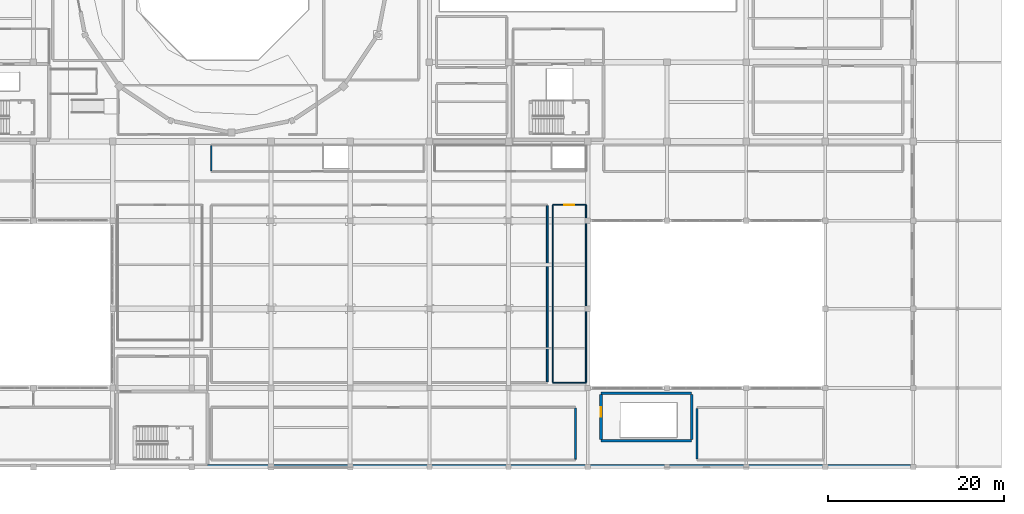
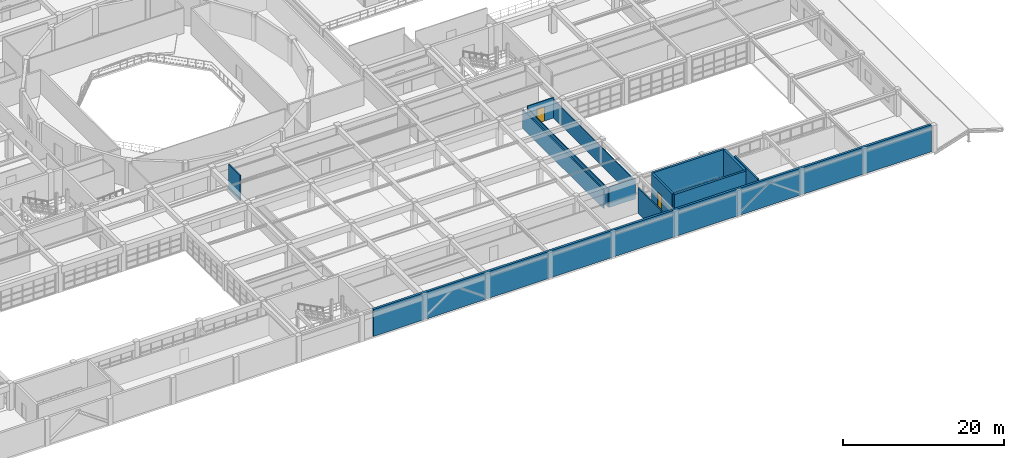
# One storey, part 110 of 130: 13 walls, 2 doors, 2 openings.
"""IFC4 building model written with IfcOpenShell, lengths in metres."""

from ifc_helpers import new_model, si_unit, direction, frame, frame_2d, origin, place, context, subcontext, project, spatial, rectangle, extrude, material, layer, layer_set, type_object, element, fill, save


model = new_model("IFC4")

# Units and contexts
model_context = context("Model", 3, precision=1e-05, world=origin(), true_north=direction((0.0, 1.0)))
body_context = subcontext(model_context, "Body", "Model", "MODEL_VIEW")
ifc_project = project(units=[si_unit("LENGTHUNIT", "METRE"), si_unit("AREAUNIT", "SQUARE_METRE"), si_unit("VOLUMEUNIT", "CUBIC_METRE"), si_unit("PLANEANGLEUNIT", "RADIAN"), si_unit("MASSUNIT", "GRAM", prefix="KILO")], contexts=[model_context])

# Site, building, storey
site_placement = place(None, origin())
site = spatial("IfcSite", under=ifc_project, at=site_placement, CompositionType="ELEMENT")
building_placement = place(site_placement, origin())
building = spatial("IfcBuilding", under=site, at=building_placement, Name="Miravela Opera House", CompositionType="ELEMENT")
storey_placement = place(building_placement, frame((0.0, 0.0, 9.52001953125)))
storey = spatial("IfcBuildingStorey", under=building, at=storey_placement, Name="L02", CompositionType="ELEMENT", Elevation=9.52001953125)

# Wall
ifc_material_1 = material(Name="Fire-rated acoustic gypsum partition")
ifc_layer_1 = layer(ifc_material_1, 0.1298828125)
ifc_layer_set_1 = layer_set([ifc_layer_1])
wall_type_1 = type_object("IfcWallType", Name="ARC-PT-130", PredefinedType="PARTITIONING", material=ifc_layer_set_1)
wall_1_placement = place(storey_placement, frame((113.0, 9.60009765625, 0.0), z_axis=(0.0, 0.0, 1.0), x_axis=(1.0, 0.0, 0.0)))
element("IfcWall", 1, at=wall_1_placement, inside=storey, type_object=wall_type_1, Name="Stage Armoury and Dyeing Workshop Partition South", PredefinedType="PARTITIONING", context=body_context, shape_type="SweptSolid", body=[
    extrude(rectangle(XDim=3.800048828125, YDim=0.1298828125, at=frame_2d((1.89990234375, 0.0))), origin(), (0.0, 0.0, 1.0), 3.139892578125),
])

# Wall, opening, door
wall_2_placement = place(storey_placement, frame((113.0, 29.800048828125, 0.0), z_axis=(0.0, 0.0, 1.0), x_axis=(1.0, 0.0, 0.0)))
wall_2 = element("IfcWall", 2, at=wall_2_placement, inside=storey, type_object=wall_type_1, Name="Stage Armoury and Dyeing Workshop Partition North", PredefinedType="PARTITIONING", context=body_context, shape_type="SweptSolid", body=[
    extrude(rectangle(XDim=3.800048828125, YDim=0.1298828125, at=frame_2d((1.89990234375, 0.0))), origin(), (0.0, 0.0, 1.0), 3.090087890625),
])
opening_1_placement = place(wall_2_placement, frame((1.35009765625, 0.0, 0.0)))
opening_1 = element("IfcOpeningElement", 3, at=opening_1_placement, cuts=wall_2, Name="Opening ID-03", PredefinedType="OPENING", context=body_context, shape_type="SweptSolid", body=[
    extrude(rectangle(XDim=1.10009765625, YDim=2.199951171875, at=frame_2d((0.550048828125, 1.10009765625))), frame((0.0, 0.074951171875, 0.0), z_axis=(0.0, -1.0, 0.0), x_axis=(1.0, 0.0, 0.0)), (0.0, 0.0, 1.0), 0.14990234375),
])
ifc_material_2 = material(Name="Acoustic hardwood studio door", Category="wood")
door_type_1 = type_object("IfcDoorType", Name="ARC-DR-1100X2200", OperationType="NOTDEFINED", PredefinedType="DOOR", material=ifc_material_2)
door_1_placement = place(opening_1_placement, origin())
door_1 = element("IfcDoor", 4, at=door_1_placement, inside=storey, type_object=door_type_1, Name="Stage Armoury and Dyeing Workshop Entry Door IDR-L02-0247", OperationType="SINGLE_SWING_LEFT", OverallHeight=2.199951171875, OverallWidth=1.10009765625, PredefinedType="DOOR", context=body_context, shape_type="SweptSolid", body=[
    extrude(rectangle(XDim=1.10009765625, YDim=2.199951171875, at=frame_2d((0.550048828125, 1.10009765625))), frame((0.0, 0.02490234375, 0.0), z_axis=(0.0, -1.0, 0.0), x_axis=(1.0, 0.0, 0.0)), (0.0, 0.0, 1.0), 0.050048828125),
])
fill(opening_1, door_1)

# Walls
for number, where, z_axis, x_axis, name in (
    (5, (113.0, 9.6650390625, 0.0), (0.0, 0.0, 1.0), (0.0, 1.0, 0.0), "Stage Armoury and Dyeing Workshop Partition West"),
    (6, (116.800048828125, 9.6650390625, 0.0), (0.0, 0.0, 1.0), (0.0, 1.0, 0.0), "Stage Armoury and Dyeing Workshop Partition East"),
):
    element("IfcWall", number, at=place(storey_placement, frame(where, z_axis=z_axis, x_axis=x_axis)), inside=storey, type_object=wall_type_1, Name=name, PredefinedType="PARTITIONING", context=body_context, shape_type="SweptSolid", body=[
        extrude(rectangle(XDim=20.070068359375, YDim=0.1298828125, at=frame_2d((10.03515625, 0.0))), origin(), (0.0, 0.0, 1.0), 2.7900390625),
    ])
ifc_material_3 = material(Name="Studio double-stud acoustic partition")
ifc_layer_2 = layer(ifc_material_3, 0.14990234375)
ifc_layer_set_2 = layer_set([ifc_layer_2])
wall_type_2 = type_object("IfcWallType", Name="ARC-PT-145", PredefinedType="PARTITIONING", material=ifc_layer_set_2)
wall_3_placement = place(storey_placement, frame((74.199951171875, 33.675048828125, 0.0), z_axis=(0.0, 0.0, 1.0), x_axis=(0.0, 1.0, 0.0)))
element("IfcWall", 7, at=wall_3_placement, inside=storey, type_object=wall_type_2, Name="Stage Scenery Restoration Archive Partition West", PredefinedType="PARTITIONING", context=body_context, shape_type="SweptSolid", body=[
    extrude(rectangle(XDim=2.849853515625, YDim=0.14990234375, at=frame_2d((1.4248046875, 0.0))), origin(), (0.0, 0.0, 1.0), 3.840087890625),
])
ifc_material_4 = material(Name="Corridor fire-resisting masonry partition", Category="masonry")
ifc_layer_3 = layer(ifc_material_4, 0.18994140625)
ifc_layer_set_3 = layer_set([ifc_layer_3])
wall_type_3 = type_object("IfcWallType", Name="ARC-PT-190", PredefinedType="PARTITIONING", material=ifc_layer_set_3)
wall_4_placement = place(storey_placement, frame((112.39990234375, 9.695068359375, 0.0), z_axis=(0.0, 0.0, 1.0), x_axis=(0.0, 1.0, 0.0)))
element("IfcWall", 8, at=wall_4_placement, inside=storey, type_object=wall_type_3, Name="Costume Tailoring and Dyeing Workshop Partition East", PredefinedType="PARTITIONING", context=body_context, shape_type="SweptSolid", body=[
    extrude(rectangle(XDim=20.010009765625, YDim=0.18994140625, at=frame_2d((10.0048828125, 0.0))), origin(), (0.0, 0.0, 1.0), 2.7900390625),
])
wall_5_placement = place(storey_placement, frame((115.60009765625, 0.89501953125, 0.0), z_axis=(0.0, 0.0, 1.0), x_axis=(0.0, 1.0, 0.0)))
element("IfcWall", 9, at=wall_5_placement, inside=storey, type_object=wall_type_3, Name="Stage Lighting Design and Cueing Studio Partition East", PredefinedType="PARTITIONING", context=body_context, shape_type="SweptSolid", body=[
    extrude(rectangle(XDim=5.81005859375, YDim=0.18994140625, at=frame_2d((2.905029296875, 0.0))), origin(), (0.0, 0.0, 1.0), 3.840087890625),
])
ifc_material_5 = material(Name="High-STC auditorium lobby partition")
ifc_layer_4 = layer(ifc_material_5, 0.22998046875)
ifc_layer_set_4 = layer_set([ifc_layer_4])
wall_type_4 = type_object("IfcWallType", Name="ARC-PT-205", PredefinedType="PARTITIONING", material=ifc_layer_set_4)
wall_6_placement = place(storey_placement, frame((129.39990234375, 0.9150390625, 0.0), z_axis=(0.0, 0.0, 1.0), x_axis=(0.0, 1.0, 0.0)))
element("IfcWall", 10, at=wall_6_placement, inside=storey, type_object=wall_type_4, Name="Male Chorus Dressing Suite Partition West", PredefinedType="PARTITIONING", context=body_context, shape_type="SweptSolid", body=[
    extrude(rectangle(XDim=5.77001953125, YDim=0.22998046875, at=frame_2d((2.885009765625, 0.0))), origin(), (0.0, 0.0, 1.0), 3.840087890625),
])
ifc_material_6 = material(Name="Concrete C35/45", Category="concrete")
ifc_layer_5 = layer(ifc_material_6, 0.320068359375)
ifc_layer_set_5 = layer_set([ifc_layer_5])
wall_type_5 = type_object("IfcWallType", Name="STR-WALL-PARTY-320", PredefinedType="SHEAR", material=ifc_layer_set_5)
wall_7_placement = place(storey_placement, frame((73.77490234375, 0.159912109375, 0.0), z_axis=(0.0, 0.0, 1.0), x_axis=(1.0, 0.0, 0.0)))
element("IfcWall", 11, at=wall_7_placement, inside=storey, type_object=wall_type_5, Name="South Lot-Line Blind Fire Party Wall East (L02)", PredefinedType="SHEAR", context=body_context, shape_type="SweptSolid", body=[
    extrude(rectangle(XDim=79.875, YDim=0.320068359375, at=frame_2d((39.9375, 0.0))), origin(), (0.0, 0.0, 1.0), 4.080078125),
])
ifc_layer_6 = layer(ifc_material_6, 0.300048828125)
ifc_layer_set_6 = layer_set([ifc_layer_6])
wall_type_6 = type_object("IfcWallType", Name="STR-WALL-WING-300", PredefinedType="SHEAR", material=ifc_layer_set_6)
for number, where, z_axis, x_axis, name in (
    (12, (118.5, 3.0, 0.0), (0.0, 0.0, 1.0), (1.0, 0.0, 0.0), "Core ST-10 Shear Wall South (L02)"),
    (13, (118.5, 8.39990234375, 0.0), (0.0, 0.0, 1.0), (1.0, 0.0, 0.0), "Core ST-10 Shear Wall North (L02)"),
):
    element("IfcWall", number, at=place(storey_placement, frame(where, z_axis=z_axis, x_axis=x_axis)), inside=storey, type_object=wall_type_6, Name=name, PredefinedType="SHEAR", context=body_context, shape_type="SweptSolid", body=[
        extrude(rectangle(XDim=10.300048828125, YDim=0.300048828125, at=frame_2d((5.14990234375, 0.0))), origin(), (0.0, 0.0, 1.0), 4.080078125),
    ])

# Wall, opening, door
wall_8_placement = place(storey_placement, frame((118.5, 3.14990234375, 0.0), z_axis=(0.0, 0.0, 1.0), x_axis=(0.0, 1.0, 0.0)))
wall_8 = element("IfcWall", 14, at=wall_8_placement, inside=storey, type_object=wall_type_6, Name="Core ST-10 Shear Wall West (L02)", PredefinedType="SHEAR", context=body_context, shape_type="SweptSolid", body=[
    extrude(rectangle(XDim=5.10009765625, YDim=0.300048828125, at=frame_2d((2.550048828125, 0.0))), origin(), (0.0, 0.0, 1.0), 4.080078125),
])
opening_2_placement = place(wall_8_placement, frame((2.550048828125, 0.0, 0.0)))
opening_2 = element("IfcOpeningElement", 15, at=opening_2_placement, cuts=wall_8, Name="Opening FD-01", PredefinedType="OPENING", context=body_context, shape_type="SweptSolid", body=[
    extrude(rectangle(XDim=1.10009765625, YDim=2.199951171875, at=frame_2d((0.550048828125, 1.10009765625))), frame((0.0, 0.159912109375, 0.0), z_axis=(0.0, -1.0, 0.0), x_axis=(1.0, 0.0, 0.0)), (0.0, 0.0, 1.0), 0.320068359375),
])
ifc_material_7 = material(Name="Fire-rated steel/hardwood exit stair door", Category="steel")
door_type_2 = type_object("IfcDoorType", Name="ARC-FD-1100X2200", OperationType="NOTDEFINED", PredefinedType="DOOR", material=ifc_material_7)
door_2_placement = place(opening_2_placement, frame((1.10009765625, 0.0, 0.0), z_axis=(0.0, 0.0, 1.0), x_axis=(-1.0, 0.0, 0.0)))
door_2 = element("IfcDoor", 16, at=door_2_placement, inside=storey, type_object=door_type_2, Name="Exit Stair ST-10 Rated Door (L02) IDR-L02-0057", OperationType="SINGLE_SWING_LEFT", OverallHeight=2.199951171875, OverallWidth=1.10009765625, PredefinedType="DOOR", context=body_context, shape_type="SweptSolid", body=[
    extrude(rectangle(XDim=1.10009765625, YDim=2.199951171875, at=frame_2d((0.550048828125, 1.10009765625))), frame((0.0, 0.02490234375, 0.0), z_axis=(0.0, -1.0, 0.0), x_axis=(1.0, 0.0, 0.0)), (0.0, 0.0, 1.0), 0.050048828125),
])
fill(opening_2, door_2)

# Wall
wall_9_placement = place(storey_placement, frame((128.800048828125, 3.14990234375, 0.0), z_axis=(0.0, 0.0, 1.0), x_axis=(0.0, 1.0, 0.0)))
element("IfcWall", 17, at=wall_9_placement, inside=storey, type_object=wall_type_6, Name="Core ST-10 Shear Wall East (L02)", PredefinedType="SHEAR", context=body_context, shape_type="SweptSolid", body=[
    extrude(rectangle(XDim=5.10009765625, YDim=0.300048828125, at=frame_2d((2.550048828125, 0.0))), origin(), (0.0, 0.0, 1.0), 4.080078125),
])

save(model, "model.ifc")
